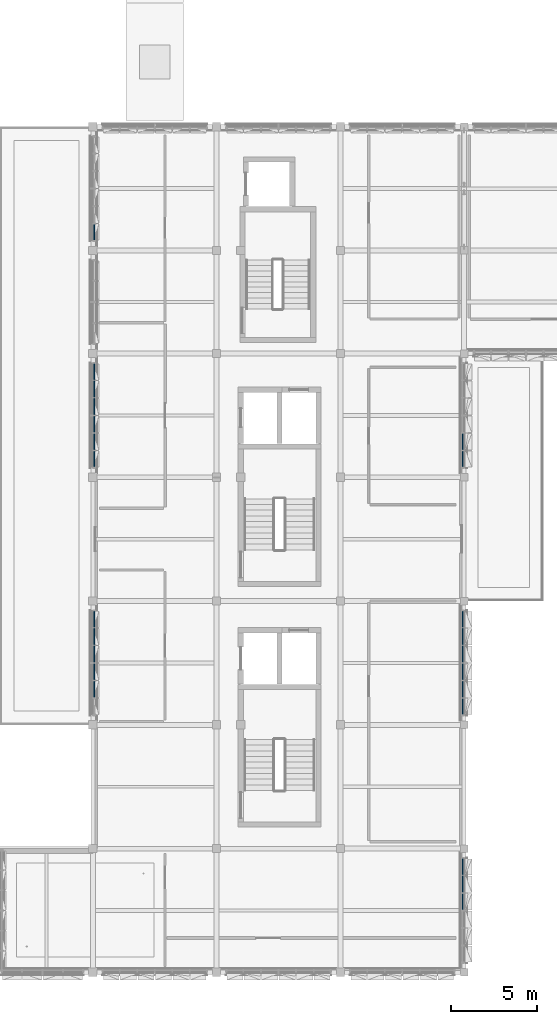
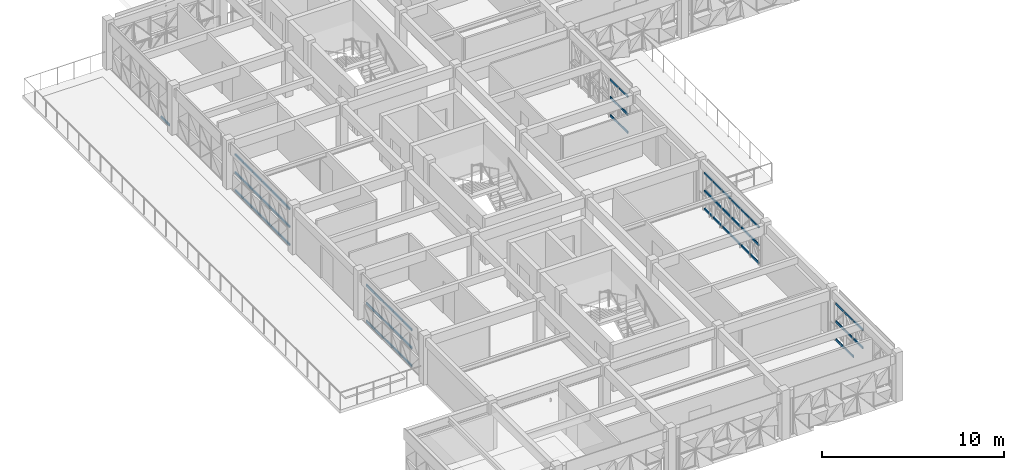
# One storey, part 8 of 35: 66 members, 6 elements without a shape of their own.
"""IFC4 building model written with IfcOpenShell, lengths in metres."""

from ifc_helpers import new_model, si_unit, direction, frame, origin, origin_2d, place, context, subcontext, project, spatial, rectangle, extrude, material, material_profile, profile_set, type_object, element, aggregate, save


model = new_model("IFC4")

# Units and contexts
model_context = context("Model", 3, precision=1e-05, world=origin(), true_north=direction((0.0, 1.0)))
body_context = subcontext(model_context, "Body", "Model", "MODEL_VIEW")
ifc_project = project(units=[si_unit("LENGTHUNIT", "METRE"), si_unit("AREAUNIT", "SQUARE_METRE"), si_unit("VOLUMEUNIT", "CUBIC_METRE"), si_unit("PLANEANGLEUNIT", "RADIAN"), si_unit("MASSUNIT", "GRAM", prefix="KILO")], contexts=[model_context])

# Site, building, storey
site_placement = place(None, origin())
site = spatial("IfcSite", under=ifc_project, at=site_placement, CompositionType="ELEMENT")
building_placement = place(site_placement, origin())
building = spatial("IfcBuilding", under=site, at=building_placement, Name="Alvorim Cloister Faculty of Sciences", CompositionType="ELEMENT")
storey_placement = place(building_placement, frame((0.0, 0.0, 22.949951171875)))
storey = spatial("IfcBuildingStorey", under=building, at=storey_placement, Name="L06", CompositionType="ELEMENT", Elevation=22.949951171875)

# Curtain wall, members
ifc_material_1 = material(Name="Aluminium and Low-E Glass Curtain Wall", Category="aluminium")
curtain_wall_type = type_object("IfcCurtainWallType", Name="CW-TRI-6120x2550", PredefinedType="USERDEFINED", material=ifc_material_1)
curtain_wall_1_placement = place(storey_placement, origin())
curtain_wall_1 = element("IfcCurtainWall", 1, at=curtain_wall_1_placement, inside=storey, type_object=curtain_wall_type, Name="L06 Diagonal Cassette Curtain Wall CW-0241", ObjectType="UNITISED CURTAIN WALL", PredefinedType="USERDEFINED")
ifc_material_2 = material(Name="Aluminium Alloy 6063-T6", Category="aluminium")
ifc_material_profile = material_profile(ifc_material_2, rectangle(XDim=0.06494140625, YDim=0.139892578125, at=origin_2d()), Name="ALU-TRN-65x140")
ifc_profile_set = profile_set([ifc_material_profile], Name="Aluminium Alloy 6063-T6")
member_type = type_object("IfcMemberType", Name="CW-TRN-65x140", PredefinedType="USERDEFINED", material=ifc_profile_set)
member_1_placement = place(storey_placement, frame((7.2900390625, 23.1923828125, 0.070068359375), z_axis=(0.0, 1.0, 0.0), x_axis=(-1.0, 0.0, 0.0)))
member_1 = element("IfcMember", 2, at=member_1_placement, type_object=member_type, Name="CW-0241 Transom 2.1", ObjectType="TRANSOM", PredefinedType="USERDEFINED", context=body_context, shape_type="SweptSolid", body=[
    extrude(rectangle(XDim=0.06494140625, YDim=0.139892578125, at=origin_2d()), origin(), (0.0, 0.0, 1.0), 0.955078125),
])
member_2_placement = place(storey_placement, frame((7.2900390625, 23.1923828125, 1.275146484375), z_axis=(0.0, 1.0, 0.0), x_axis=(-1.0, 0.0, 0.0)))
member_2 = element("IfcMember", 3, at=member_2_placement, type_object=member_type, Name="CW-0241 Transom 2.2", ObjectType="TRANSOM", PredefinedType="USERDEFINED", context=body_context, shape_type="SweptSolid", body=[
    extrude(rectangle(XDim=0.06494140625, YDim=0.139892578125, at=origin_2d()), origin(), (0.0, 0.0, 1.0), 0.955078125),
])
member_3_placement = place(storey_placement, frame((7.2900390625, 23.1923828125, 2.47998046875), z_axis=(0.0, 1.0, 0.0), x_axis=(-1.0, 0.0, 0.0)))
member_3 = element("IfcMember", 4, at=member_3_placement, type_object=member_type, Name="CW-0241 Transom 2.3", ObjectType="TRANSOM", PredefinedType="USERDEFINED", context=body_context, shape_type="SweptSolid", body=[
    extrude(rectangle(XDim=0.06494140625, YDim=0.139892578125, at=origin_2d()), origin(), (0.0, 0.0, 1.0), 0.955078125),
])
member_4_placement = place(storey_placement, frame((7.2900390625, 24.21240234375, 0.070068359375), z_axis=(0.0, 1.0, 0.0), x_axis=(-1.0, 0.0, 0.0)))
member_4 = element("IfcMember", 5, at=member_4_placement, type_object=member_type, Name="CW-0241 Transom 3.1", ObjectType="TRANSOM", PredefinedType="USERDEFINED", context=body_context, shape_type="SweptSolid", body=[
    extrude(rectangle(XDim=0.06494140625, YDim=0.139892578125, at=origin_2d()), origin(), (0.0, 0.0, 1.0), 0.955078125),
])
member_5_placement = place(storey_placement, frame((7.2900390625, 24.21240234375, 1.275146484375), z_axis=(0.0, 1.0, 0.0), x_axis=(-1.0, 0.0, 0.0)))
member_5 = element("IfcMember", 6, at=member_5_placement, type_object=member_type, Name="CW-0241 Transom 3.2", ObjectType="TRANSOM", PredefinedType="USERDEFINED", context=body_context, shape_type="SweptSolid", body=[
    extrude(rectangle(XDim=0.06494140625, YDim=0.139892578125, at=origin_2d()), origin(), (0.0, 0.0, 1.0), 0.955078125),
])
member_6_placement = place(storey_placement, frame((7.2900390625, 24.21240234375, 2.47998046875), z_axis=(0.0, 1.0, 0.0), x_axis=(-1.0, 0.0, 0.0)))
member_6 = element("IfcMember", 7, at=member_6_placement, type_object=member_type, Name="CW-0241 Transom 3.3", ObjectType="TRANSOM", PredefinedType="USERDEFINED", context=body_context, shape_type="SweptSolid", body=[
    extrude(rectangle(XDim=0.06494140625, YDim=0.139892578125, at=origin_2d()), origin(), (0.0, 0.0, 1.0), 0.955078125),
])
member_7_placement = place(storey_placement, frame((7.2900390625, 25.232421875, 0.070068359375), z_axis=(0.0, 1.0, 0.0), x_axis=(-1.0, 0.0, 0.0)))
member_7 = element("IfcMember", 8, at=member_7_placement, type_object=member_type, Name="CW-0241 Transom 4.1", ObjectType="TRANSOM", PredefinedType="USERDEFINED", context=body_context, shape_type="SweptSolid", body=[
    extrude(rectangle(XDim=0.06494140625, YDim=0.139892578125, at=origin_2d()), origin(), (0.0, 0.0, 1.0), 0.955078125),
])
member_8_placement = place(storey_placement, frame((7.2900390625, 25.232421875, 1.275146484375), z_axis=(0.0, 1.0, 0.0), x_axis=(-1.0, 0.0, 0.0)))
member_8 = element("IfcMember", 9, at=member_8_placement, type_object=member_type, Name="CW-0241 Transom 4.2", ObjectType="TRANSOM", PredefinedType="USERDEFINED", context=body_context, shape_type="SweptSolid", body=[
    extrude(rectangle(XDim=0.06494140625, YDim=0.139892578125, at=origin_2d()), origin(), (0.0, 0.0, 1.0), 0.955078125),
])
member_9_placement = place(storey_placement, frame((7.2900390625, 25.232421875, 2.47998046875), z_axis=(0.0, 1.0, 0.0), x_axis=(-1.0, 0.0, 0.0)))
member_9 = element("IfcMember", 10, at=member_9_placement, type_object=member_type, Name="CW-0241 Transom 4.3", ObjectType="TRANSOM", PredefinedType="USERDEFINED", context=body_context, shape_type="SweptSolid", body=[
    extrude(rectangle(XDim=0.06494140625, YDim=0.139892578125, at=origin_2d()), origin(), (0.0, 0.0, 1.0), 0.955078125),
])
member_10_placement = place(storey_placement, frame((7.2900390625, 26.25244140625, 0.070068359375), z_axis=(0.0, 1.0, 0.0), x_axis=(-1.0, 0.0, 0.0)))
member_10 = element("IfcMember", 11, at=member_10_placement, type_object=member_type, Name="CW-0241 Transom 5.1", ObjectType="TRANSOM", PredefinedType="USERDEFINED", context=body_context, shape_type="SweptSolid", body=[
    extrude(rectangle(XDim=0.06494140625, YDim=0.139892578125, at=origin_2d()), origin(), (0.0, 0.0, 1.0), 0.955078125),
])
member_11_placement = place(storey_placement, frame((7.2900390625, 26.25244140625, 1.275146484375), z_axis=(0.0, 1.0, 0.0), x_axis=(-1.0, 0.0, 0.0)))
member_11 = element("IfcMember", 12, at=member_11_placement, type_object=member_type, Name="CW-0241 Transom 5.2", ObjectType="TRANSOM", PredefinedType="USERDEFINED", context=body_context, shape_type="SweptSolid", body=[
    extrude(rectangle(XDim=0.06494140625, YDim=0.139892578125, at=origin_2d()), origin(), (0.0, 0.0, 1.0), 0.955078125),
])
member_12_placement = place(storey_placement, frame((7.2900390625, 26.25244140625, 2.47998046875), z_axis=(0.0, 1.0, 0.0), x_axis=(-1.0, 0.0, 0.0)))
member_12 = element("IfcMember", 13, at=member_12_placement, type_object=member_type, Name="CW-0241 Transom 5.3", ObjectType="TRANSOM", PredefinedType="USERDEFINED", context=body_context, shape_type="SweptSolid", body=[
    extrude(rectangle(XDim=0.06494140625, YDim=0.139892578125, at=origin_2d()), origin(), (0.0, 0.0, 1.0), 0.955078125),
])
member_13_placement = place(storey_placement, frame((7.2900390625, 27.2724609375, 0.070068359375), z_axis=(0.0, 1.0, 0.0), x_axis=(-1.0, 0.0, 0.0)))
member_13 = element("IfcMember", 14, at=member_13_placement, type_object=member_type, Name="CW-0241 Transom 6.1", ObjectType="TRANSOM", PredefinedType="USERDEFINED", context=body_context, shape_type="SweptSolid", body=[
    extrude(rectangle(XDim=0.06494140625, YDim=0.139892578125, at=origin_2d()), origin(), (0.0, 0.0, 1.0), 0.922607421875),
])
member_14_placement = place(storey_placement, frame((7.2900390625, 27.2724609375, 1.275146484375), z_axis=(0.0, 1.0, 0.0), x_axis=(-1.0, 0.0, 0.0)))
member_14 = element("IfcMember", 15, at=member_14_placement, type_object=member_type, Name="CW-0241 Transom 6.2", ObjectType="TRANSOM", PredefinedType="USERDEFINED", context=body_context, shape_type="SweptSolid", body=[
    extrude(rectangle(XDim=0.06494140625, YDim=0.139892578125, at=origin_2d()), origin(), (0.0, 0.0, 1.0), 0.922607421875),
])
member_15_placement = place(storey_placement, frame((7.2900390625, 27.2724609375, 2.47998046875), z_axis=(0.0, 1.0, 0.0), x_axis=(-1.0, 0.0, 0.0)))
member_15 = element("IfcMember", 16, at=member_15_placement, type_object=member_type, Name="CW-0241 Transom 6.3", ObjectType="TRANSOM", PredefinedType="USERDEFINED", context=body_context, shape_type="SweptSolid", body=[
    extrude(rectangle(XDim=0.06494140625, YDim=0.139892578125, at=origin_2d()), origin(), (0.0, 0.0, 1.0), 0.922607421875),
])
aggregate(curtain_wall_1, [member_1, member_2, member_3, member_4, member_5, member_6, member_7, member_8, member_9, member_10, member_11, member_12, member_13, member_14, member_15])

curtain_wall_2_placement = place(storey_placement, origin())
curtain_wall_2 = element("IfcCurtainWall", 17, at=curtain_wall_2_placement, inside=storey, type_object=curtain_wall_type, Name="L06 Diagonal Cassette Curtain Wall CW-0242", ObjectType="UNITISED CURTAIN WALL", PredefinedType="USERDEFINED")
member_16_placement = place(storey_placement, frame((7.2900390625, 36.60498046875, 0.070068359375), z_axis=(0.0, 1.0, 0.0), x_axis=(-1.0, 0.0, 0.0)))
member_16 = element("IfcMember", 18, at=member_16_placement, type_object=member_type, Name="CW-0242 Transom 1.1", ObjectType="TRANSOM", PredefinedType="USERDEFINED", context=body_context, shape_type="SweptSolid", body=[
    extrude(rectangle(XDim=0.06494140625, YDim=0.139892578125, at=origin_2d()), origin(), (0.0, 0.0, 1.0), 0.922607421875),
])
member_17_placement = place(storey_placement, frame((7.2900390625, 36.60498046875, 1.275146484375), z_axis=(0.0, 1.0, 0.0), x_axis=(-1.0, 0.0, 0.0)))
member_17 = element("IfcMember", 19, at=member_17_placement, type_object=member_type, Name="CW-0242 Transom 1.2", ObjectType="TRANSOM", PredefinedType="USERDEFINED", context=body_context, shape_type="SweptSolid", body=[
    extrude(rectangle(XDim=0.06494140625, YDim=0.139892578125, at=origin_2d()), origin(), (0.0, 0.0, 1.0), 0.922607421875),
])
member_18_placement = place(storey_placement, frame((7.2900390625, 36.60498046875, 2.47998046875), z_axis=(0.0, 1.0, 0.0), x_axis=(-1.0, 0.0, 0.0)))
member_18 = element("IfcMember", 20, at=member_18_placement, type_object=member_type, Name="CW-0242 Transom 1.3", ObjectType="TRANSOM", PredefinedType="USERDEFINED", context=body_context, shape_type="SweptSolid", body=[
    extrude(rectangle(XDim=0.06494140625, YDim=0.139892578125, at=origin_2d()), origin(), (0.0, 0.0, 1.0), 0.922607421875),
])
member_19_placement = place(storey_placement, frame((7.2900390625, 37.592529296875, 0.070068359375), z_axis=(0.0, 1.0, 0.0), x_axis=(-1.0, 0.0, 0.0)))
member_19 = element("IfcMember", 21, at=member_19_placement, type_object=member_type, Name="CW-0242 Transom 2.1", ObjectType="TRANSOM", PredefinedType="USERDEFINED", context=body_context, shape_type="SweptSolid", body=[
    extrude(rectangle(XDim=0.06494140625, YDim=0.139892578125, at=origin_2d()), origin(), (0.0, 0.0, 1.0), 0.955078125),
])
member_20_placement = place(storey_placement, frame((7.2900390625, 37.592529296875, 1.275146484375), z_axis=(0.0, 1.0, 0.0), x_axis=(-1.0, 0.0, 0.0)))
member_20 = element("IfcMember", 22, at=member_20_placement, type_object=member_type, Name="CW-0242 Transom 2.2", ObjectType="TRANSOM", PredefinedType="USERDEFINED", context=body_context, shape_type="SweptSolid", body=[
    extrude(rectangle(XDim=0.06494140625, YDim=0.139892578125, at=origin_2d()), origin(), (0.0, 0.0, 1.0), 0.955078125),
])
member_21_placement = place(storey_placement, frame((7.2900390625, 37.592529296875, 2.47998046875), z_axis=(0.0, 1.0, 0.0), x_axis=(-1.0, 0.0, 0.0)))
member_21 = element("IfcMember", 23, at=member_21_placement, type_object=member_type, Name="CW-0242 Transom 2.3", ObjectType="TRANSOM", PredefinedType="USERDEFINED", context=body_context, shape_type="SweptSolid", body=[
    extrude(rectangle(XDim=0.06494140625, YDim=0.139892578125, at=origin_2d()), origin(), (0.0, 0.0, 1.0), 0.955078125),
])
member_22_placement = place(storey_placement, frame((7.2900390625, 38.612548828125, 0.070068359375), z_axis=(0.0, 1.0, 0.0), x_axis=(-1.0, 0.0, 0.0)))
member_22 = element("IfcMember", 24, at=member_22_placement, type_object=member_type, Name="CW-0242 Transom 3.1", ObjectType="TRANSOM", PredefinedType="USERDEFINED", context=body_context, shape_type="SweptSolid", body=[
    extrude(rectangle(XDim=0.06494140625, YDim=0.139892578125, at=origin_2d()), origin(), (0.0, 0.0, 1.0), 0.954833984375),
])
member_23_placement = place(storey_placement, frame((7.2900390625, 38.612548828125, 1.275146484375), z_axis=(0.0, 1.0, 0.0), x_axis=(-1.0, 0.0, 0.0)))
member_23 = element("IfcMember", 25, at=member_23_placement, type_object=member_type, Name="CW-0242 Transom 3.2", ObjectType="TRANSOM", PredefinedType="USERDEFINED", context=body_context, shape_type="SweptSolid", body=[
    extrude(rectangle(XDim=0.06494140625, YDim=0.139892578125, at=origin_2d()), origin(), (0.0, 0.0, 1.0), 0.954833984375),
])
member_24_placement = place(storey_placement, frame((7.2900390625, 38.612548828125, 2.47998046875), z_axis=(0.0, 1.0, 0.0), x_axis=(-1.0, 0.0, 0.0)))
member_24 = element("IfcMember", 26, at=member_24_placement, type_object=member_type, Name="CW-0242 Transom 3.3", ObjectType="TRANSOM", PredefinedType="USERDEFINED", context=body_context, shape_type="SweptSolid", body=[
    extrude(rectangle(XDim=0.06494140625, YDim=0.139892578125, at=origin_2d()), origin(), (0.0, 0.0, 1.0), 0.954833984375),
])
member_25_placement = place(storey_placement, frame((7.2900390625, 39.632568359375, 0.070068359375), z_axis=(0.0, 1.0, 0.0), x_axis=(-1.0, 0.0, 0.0)))
member_25 = element("IfcMember", 27, at=member_25_placement, type_object=member_type, Name="CW-0242 Transom 4.1", ObjectType="TRANSOM", PredefinedType="USERDEFINED", context=body_context, shape_type="SweptSolid", body=[
    extrude(rectangle(XDim=0.06494140625, YDim=0.139892578125, at=origin_2d()), origin(), (0.0, 0.0, 1.0), 0.954833984375),
])
member_26_placement = place(storey_placement, frame((7.2900390625, 39.632568359375, 1.275146484375), z_axis=(0.0, 1.0, 0.0), x_axis=(-1.0, 0.0, 0.0)))
member_26 = element("IfcMember", 28, at=member_26_placement, type_object=member_type, Name="CW-0242 Transom 4.2", ObjectType="TRANSOM", PredefinedType="USERDEFINED", context=body_context, shape_type="SweptSolid", body=[
    extrude(rectangle(XDim=0.06494140625, YDim=0.139892578125, at=origin_2d()), origin(), (0.0, 0.0, 1.0), 0.954833984375),
])
member_27_placement = place(storey_placement, frame((7.2900390625, 39.632568359375, 2.47998046875), z_axis=(0.0, 1.0, 0.0), x_axis=(-1.0, 0.0, 0.0)))
member_27 = element("IfcMember", 29, at=member_27_placement, type_object=member_type, Name="CW-0242 Transom 4.3", ObjectType="TRANSOM", PredefinedType="USERDEFINED", context=body_context, shape_type="SweptSolid", body=[
    extrude(rectangle(XDim=0.06494140625, YDim=0.139892578125, at=origin_2d()), origin(), (0.0, 0.0, 1.0), 0.954833984375),
])
member_28_placement = place(storey_placement, frame((7.2900390625, 40.652587890625, 0.070068359375), z_axis=(0.0, 1.0, 0.0), x_axis=(-1.0, 0.0, 0.0)))
member_28 = element("IfcMember", 30, at=member_28_placement, type_object=member_type, Name="CW-0242 Transom 5.1", ObjectType="TRANSOM", PredefinedType="USERDEFINED", context=body_context, shape_type="SweptSolid", body=[
    extrude(rectangle(XDim=0.06494140625, YDim=0.139892578125, at=origin_2d()), origin(), (0.0, 0.0, 1.0), 0.954833984375),
])
member_29_placement = place(storey_placement, frame((7.2900390625, 40.652587890625, 1.275146484375), z_axis=(0.0, 1.0, 0.0), x_axis=(-1.0, 0.0, 0.0)))
member_29 = element("IfcMember", 31, at=member_29_placement, type_object=member_type, Name="CW-0242 Transom 5.2", ObjectType="TRANSOM", PredefinedType="USERDEFINED", context=body_context, shape_type="SweptSolid", body=[
    extrude(rectangle(XDim=0.06494140625, YDim=0.139892578125, at=origin_2d()), origin(), (0.0, 0.0, 1.0), 0.954833984375),
])
member_30_placement = place(storey_placement, frame((7.2900390625, 40.652587890625, 2.47998046875), z_axis=(0.0, 1.0, 0.0), x_axis=(-1.0, 0.0, 0.0)))
member_30 = element("IfcMember", 32, at=member_30_placement, type_object=member_type, Name="CW-0242 Transom 5.3", ObjectType="TRANSOM", PredefinedType="USERDEFINED", context=body_context, shape_type="SweptSolid", body=[
    extrude(rectangle(XDim=0.06494140625, YDim=0.139892578125, at=origin_2d()), origin(), (0.0, 0.0, 1.0), 0.954833984375),
])
member_31_placement = place(storey_placement, frame((7.2900390625, 41.672607421875, 0.070068359375), z_axis=(0.0, 1.0, 0.0), x_axis=(-1.0, 0.0, 0.0)))
member_31 = element("IfcMember", 33, at=member_31_placement, type_object=member_type, Name="CW-0242 Transom 6.1", ObjectType="TRANSOM", PredefinedType="USERDEFINED", context=body_context, shape_type="SweptSolid", body=[
    extrude(rectangle(XDim=0.06494140625, YDim=0.139892578125, at=origin_2d()), origin(), (0.0, 0.0, 1.0), 0.92236328125),
])
member_32_placement = place(storey_placement, frame((7.2900390625, 41.672607421875, 1.275146484375), z_axis=(0.0, 1.0, 0.0), x_axis=(-1.0, 0.0, 0.0)))
member_32 = element("IfcMember", 34, at=member_32_placement, type_object=member_type, Name="CW-0242 Transom 6.2", ObjectType="TRANSOM", PredefinedType="USERDEFINED", context=body_context, shape_type="SweptSolid", body=[
    extrude(rectangle(XDim=0.06494140625, YDim=0.139892578125, at=origin_2d()), origin(), (0.0, 0.0, 1.0), 0.92236328125),
])
member_33_placement = place(storey_placement, frame((7.2900390625, 41.672607421875, 2.47998046875), z_axis=(0.0, 1.0, 0.0), x_axis=(-1.0, 0.0, 0.0)))
member_33 = element("IfcMember", 35, at=member_33_placement, type_object=member_type, Name="CW-0242 Transom 6.3", ObjectType="TRANSOM", PredefinedType="USERDEFINED", context=body_context, shape_type="SweptSolid", body=[
    extrude(rectangle(XDim=0.06494140625, YDim=0.139892578125, at=origin_2d()), origin(), (0.0, 0.0, 1.0), 0.92236328125),
])
aggregate(curtain_wall_2, [member_16, member_17, member_18, member_19, member_20, member_21, member_22, member_23, member_24, member_25, member_26, member_27, member_28, member_29, member_30, member_31, member_32, member_33])

# Curtain wall, member
curtain_wall_3_placement = place(storey_placement, origin())
curtain_wall_3 = element("IfcCurtainWall", 36, at=curtain_wall_3_placement, inside=storey, type_object=curtain_wall_type, Name="L06 Diagonal Cassette Curtain Wall CW-0244", ObjectType="UNITISED CURTAIN WALL", PredefinedType="USERDEFINED")
member_34_placement = place(storey_placement, frame((7.2900390625, 49.804931640625, 0.070068359375), z_axis=(0.0, 1.0, 0.0), x_axis=(-1.0, 0.0, 0.0)))
member_34 = element("IfcMember", 37, at=member_34_placement, type_object=member_type, Name="CW-0244 Transom 1.1", ObjectType="TRANSOM", PredefinedType="USERDEFINED", context=body_context, shape_type="SweptSolid", body=[
    extrude(rectangle(XDim=0.06494140625, YDim=0.139892578125, at=origin_2d()), origin(), (0.0, 0.0, 1.0), 0.922607421875),
])
aggregate(curtain_wall_3, [member_34])

# Curtain wall, members
curtain_wall_4_placement = place(storey_placement, origin())
curtain_wall_4 = element("IfcCurtainWall", 38, at=curtain_wall_4_placement, inside=storey, type_object=curtain_wall_type, Name="L06 Diagonal Cassette Curtain Wall CW-0255", ObjectType="UNITISED CURTAIN WALL", PredefinedType="USERDEFINED")
member_35_placement = place(storey_placement, frame((28.7099609375, 36.60498046875, 0.070068359375), z_axis=(0.0, 1.0, 0.0), x_axis=(-1.0, 0.0, 0.0)))
member_35 = element("IfcMember", 39, at=member_35_placement, type_object=member_type, Name="CW-0255 Transom 1.1", ObjectType="TRANSOM", PredefinedType="USERDEFINED", context=body_context, shape_type="SweptSolid", body=[
    extrude(rectangle(XDim=0.06494140625, YDim=0.139892578125, at=origin_2d()), origin(), (0.0, 0.0, 1.0), 0.922607421875),
])
member_36_placement = place(storey_placement, frame((28.7099609375, 36.60498046875, 1.275146484375), z_axis=(0.0, 1.0, 0.0), x_axis=(-1.0, 0.0, 0.0)))
member_36 = element("IfcMember", 40, at=member_36_placement, type_object=member_type, Name="CW-0255 Transom 1.2", ObjectType="TRANSOM", PredefinedType="USERDEFINED", context=body_context, shape_type="SweptSolid", body=[
    extrude(rectangle(XDim=0.06494140625, YDim=0.139892578125, at=origin_2d()), origin(), (0.0, 0.0, 1.0), 0.922607421875),
])
member_37_placement = place(storey_placement, frame((28.7099609375, 36.60498046875, 2.47998046875), z_axis=(0.0, 1.0, 0.0), x_axis=(-1.0, 0.0, 0.0)))
member_37 = element("IfcMember", 41, at=member_37_placement, type_object=member_type, Name="CW-0255 Transom 1.3", ObjectType="TRANSOM", PredefinedType="USERDEFINED", context=body_context, shape_type="SweptSolid", body=[
    extrude(rectangle(XDim=0.06494140625, YDim=0.139892578125, at=origin_2d()), origin(), (0.0, 0.0, 1.0), 0.922607421875),
])
member_38_placement = place(storey_placement, frame((28.7099609375, 37.592529296875, 0.070068359375), z_axis=(0.0, 1.0, 0.0), x_axis=(-1.0, 0.0, 0.0)))
member_38 = element("IfcMember", 42, at=member_38_placement, type_object=member_type, Name="CW-0255 Transom 2.1", ObjectType="TRANSOM", PredefinedType="USERDEFINED", context=body_context, shape_type="SweptSolid", body=[
    extrude(rectangle(XDim=0.06494140625, YDim=0.139892578125, at=origin_2d()), origin(), (0.0, 0.0, 1.0), 0.955078125),
])
member_39_placement = place(storey_placement, frame((28.7099609375, 37.592529296875, 1.275146484375), z_axis=(0.0, 1.0, 0.0), x_axis=(-1.0, 0.0, 0.0)))
member_39 = element("IfcMember", 43, at=member_39_placement, type_object=member_type, Name="CW-0255 Transom 2.2", ObjectType="TRANSOM", PredefinedType="USERDEFINED", context=body_context, shape_type="SweptSolid", body=[
    extrude(rectangle(XDim=0.06494140625, YDim=0.139892578125, at=origin_2d()), origin(), (0.0, 0.0, 1.0), 0.955078125),
])
member_40_placement = place(storey_placement, frame((28.7099609375, 37.592529296875, 2.47998046875), z_axis=(0.0, 1.0, 0.0), x_axis=(-1.0, 0.0, 0.0)))
member_40 = element("IfcMember", 44, at=member_40_placement, type_object=member_type, Name="CW-0255 Transom 2.3", ObjectType="TRANSOM", PredefinedType="USERDEFINED", context=body_context, shape_type="SweptSolid", body=[
    extrude(rectangle(XDim=0.06494140625, YDim=0.139892578125, at=origin_2d()), origin(), (0.0, 0.0, 1.0), 0.955078125),
])
aggregate(curtain_wall_4, [member_35, member_36, member_37, member_38, member_39, member_40])

curtain_wall_5_placement = place(storey_placement, origin())
curtain_wall_5 = element("IfcCurtainWall", 45, at=curtain_wall_5_placement, inside=storey, type_object=curtain_wall_type, Name="L06 Diagonal Cassette Curtain Wall CW-0256", ObjectType="UNITISED CURTAIN WALL", PredefinedType="USERDEFINED")
member_41_placement = place(storey_placement, frame((28.7099609375, 22.205078125, 0.070068359375), z_axis=(0.0, 1.0, 0.0), x_axis=(-1.0, 0.0, 0.0)))
member_41 = element("IfcMember", 46, at=member_41_placement, type_object=member_type, Name="CW-0256 Transom 1.1", ObjectType="TRANSOM", PredefinedType="USERDEFINED", context=body_context, shape_type="SweptSolid", body=[
    extrude(rectangle(XDim=0.06494140625, YDim=0.139892578125, at=origin_2d()), origin(), (0.0, 0.0, 1.0), 0.92236328125),
])
member_42_placement = place(storey_placement, frame((28.7099609375, 22.205078125, 1.275146484375), z_axis=(0.0, 1.0, 0.0), x_axis=(-1.0, 0.0, 0.0)))
member_42 = element("IfcMember", 47, at=member_42_placement, type_object=member_type, Name="CW-0256 Transom 1.2", ObjectType="TRANSOM", PredefinedType="USERDEFINED", context=body_context, shape_type="SweptSolid", body=[
    extrude(rectangle(XDim=0.06494140625, YDim=0.139892578125, at=origin_2d()), origin(), (0.0, 0.0, 1.0), 0.92236328125),
])
member_43_placement = place(storey_placement, frame((28.7099609375, 22.205078125, 2.47998046875), z_axis=(0.0, 1.0, 0.0), x_axis=(-1.0, 0.0, 0.0)))
member_43 = element("IfcMember", 48, at=member_43_placement, type_object=member_type, Name="CW-0256 Transom 1.3", ObjectType="TRANSOM", PredefinedType="USERDEFINED", context=body_context, shape_type="SweptSolid", body=[
    extrude(rectangle(XDim=0.06494140625, YDim=0.139892578125, at=origin_2d()), origin(), (0.0, 0.0, 1.0), 0.92236328125),
])
member_44_placement = place(storey_placement, frame((28.7099609375, 23.1923828125, 0.070068359375), z_axis=(0.0, 1.0, 0.0), x_axis=(-1.0, 0.0, 0.0)))
member_44 = element("IfcMember", 49, at=member_44_placement, type_object=member_type, Name="CW-0256 Transom 2.1", ObjectType="TRANSOM", PredefinedType="USERDEFINED", context=body_context, shape_type="SweptSolid", body=[
    extrude(rectangle(XDim=0.06494140625, YDim=0.139892578125, at=origin_2d()), origin(), (0.0, 0.0, 1.0), 0.955078125),
])
member_45_placement = place(storey_placement, frame((28.7099609375, 23.1923828125, 1.275146484375), z_axis=(0.0, 1.0, 0.0), x_axis=(-1.0, 0.0, 0.0)))
member_45 = element("IfcMember", 50, at=member_45_placement, type_object=member_type, Name="CW-0256 Transom 2.2", ObjectType="TRANSOM", PredefinedType="USERDEFINED", context=body_context, shape_type="SweptSolid", body=[
    extrude(rectangle(XDim=0.06494140625, YDim=0.139892578125, at=origin_2d()), origin(), (0.0, 0.0, 1.0), 0.955078125),
])
member_46_placement = place(storey_placement, frame((28.7099609375, 23.1923828125, 2.47998046875), z_axis=(0.0, 1.0, 0.0), x_axis=(-1.0, 0.0, 0.0)))
member_46 = element("IfcMember", 51, at=member_46_placement, type_object=member_type, Name="CW-0256 Transom 2.3", ObjectType="TRANSOM", PredefinedType="USERDEFINED", context=body_context, shape_type="SweptSolid", body=[
    extrude(rectangle(XDim=0.06494140625, YDim=0.139892578125, at=origin_2d()), origin(), (0.0, 0.0, 1.0), 0.955078125),
])
member_47_placement = place(storey_placement, frame((28.7099609375, 24.21240234375, 0.070068359375), z_axis=(0.0, 1.0, 0.0), x_axis=(-1.0, 0.0, 0.0)))
member_47 = element("IfcMember", 52, at=member_47_placement, type_object=member_type, Name="CW-0256 Transom 3.1", ObjectType="TRANSOM", PredefinedType="USERDEFINED", context=body_context, shape_type="SweptSolid", body=[
    extrude(rectangle(XDim=0.06494140625, YDim=0.139892578125, at=origin_2d()), origin(), (0.0, 0.0, 1.0), 0.955078125),
])
member_48_placement = place(storey_placement, frame((28.7099609375, 24.21240234375, 1.275146484375), z_axis=(0.0, 1.0, 0.0), x_axis=(-1.0, 0.0, 0.0)))
member_48 = element("IfcMember", 53, at=member_48_placement, type_object=member_type, Name="CW-0256 Transom 3.2", ObjectType="TRANSOM", PredefinedType="USERDEFINED", context=body_context, shape_type="SweptSolid", body=[
    extrude(rectangle(XDim=0.06494140625, YDim=0.139892578125, at=origin_2d()), origin(), (0.0, 0.0, 1.0), 0.955078125),
])
member_49_placement = place(storey_placement, frame((28.7099609375, 24.21240234375, 2.47998046875), z_axis=(0.0, 1.0, 0.0), x_axis=(-1.0, 0.0, 0.0)))
member_49 = element("IfcMember", 54, at=member_49_placement, type_object=member_type, Name="CW-0256 Transom 3.3", ObjectType="TRANSOM", PredefinedType="USERDEFINED", context=body_context, shape_type="SweptSolid", body=[
    extrude(rectangle(XDim=0.06494140625, YDim=0.139892578125, at=origin_2d()), origin(), (0.0, 0.0, 1.0), 0.955078125),
])
member_50_placement = place(storey_placement, frame((28.7099609375, 25.232421875, 0.070068359375), z_axis=(0.0, 1.0, 0.0), x_axis=(-1.0, 0.0, 0.0)))
member_50 = element("IfcMember", 55, at=member_50_placement, type_object=member_type, Name="CW-0256 Transom 4.1", ObjectType="TRANSOM", PredefinedType="USERDEFINED", context=body_context, shape_type="SweptSolid", body=[
    extrude(rectangle(XDim=0.06494140625, YDim=0.139892578125, at=origin_2d()), origin(), (0.0, 0.0, 1.0), 0.955078125),
])
member_51_placement = place(storey_placement, frame((28.7099609375, 25.232421875, 1.275146484375), z_axis=(0.0, 1.0, 0.0), x_axis=(-1.0, 0.0, 0.0)))
member_51 = element("IfcMember", 56, at=member_51_placement, type_object=member_type, Name="CW-0256 Transom 4.2", ObjectType="TRANSOM", PredefinedType="USERDEFINED", context=body_context, shape_type="SweptSolid", body=[
    extrude(rectangle(XDim=0.06494140625, YDim=0.139892578125, at=origin_2d()), origin(), (0.0, 0.0, 1.0), 0.955078125),
])
member_52_placement = place(storey_placement, frame((28.7099609375, 25.232421875, 2.47998046875), z_axis=(0.0, 1.0, 0.0), x_axis=(-1.0, 0.0, 0.0)))
member_52 = element("IfcMember", 57, at=member_52_placement, type_object=member_type, Name="CW-0256 Transom 4.3", ObjectType="TRANSOM", PredefinedType="USERDEFINED", context=body_context, shape_type="SweptSolid", body=[
    extrude(rectangle(XDim=0.06494140625, YDim=0.139892578125, at=origin_2d()), origin(), (0.0, 0.0, 1.0), 0.955078125),
])
member_53_placement = place(storey_placement, frame((28.7099609375, 26.25244140625, 0.070068359375), z_axis=(0.0, 1.0, 0.0), x_axis=(-1.0, 0.0, 0.0)))
member_53 = element("IfcMember", 58, at=member_53_placement, type_object=member_type, Name="CW-0256 Transom 5.1", ObjectType="TRANSOM", PredefinedType="USERDEFINED", context=body_context, shape_type="SweptSolid", body=[
    extrude(rectangle(XDim=0.06494140625, YDim=0.139892578125, at=origin_2d()), origin(), (0.0, 0.0, 1.0), 0.955078125),
])
member_54_placement = place(storey_placement, frame((28.7099609375, 26.25244140625, 1.275146484375), z_axis=(0.0, 1.0, 0.0), x_axis=(-1.0, 0.0, 0.0)))
member_54 = element("IfcMember", 59, at=member_54_placement, type_object=member_type, Name="CW-0256 Transom 5.2", ObjectType="TRANSOM", PredefinedType="USERDEFINED", context=body_context, shape_type="SweptSolid", body=[
    extrude(rectangle(XDim=0.06494140625, YDim=0.139892578125, at=origin_2d()), origin(), (0.0, 0.0, 1.0), 0.955078125),
])
member_55_placement = place(storey_placement, frame((28.7099609375, 26.25244140625, 2.47998046875), z_axis=(0.0, 1.0, 0.0), x_axis=(-1.0, 0.0, 0.0)))
member_55 = element("IfcMember", 60, at=member_55_placement, type_object=member_type, Name="CW-0256 Transom 5.3", ObjectType="TRANSOM", PredefinedType="USERDEFINED", context=body_context, shape_type="SweptSolid", body=[
    extrude(rectangle(XDim=0.06494140625, YDim=0.139892578125, at=origin_2d()), origin(), (0.0, 0.0, 1.0), 0.955078125),
])
member_56_placement = place(storey_placement, frame((28.7099609375, 27.2724609375, 0.070068359375), z_axis=(0.0, 1.0, 0.0), x_axis=(-1.0, 0.0, 0.0)))
member_56 = element("IfcMember", 61, at=member_56_placement, type_object=member_type, Name="CW-0256 Transom 6.1", ObjectType="TRANSOM", PredefinedType="USERDEFINED", context=body_context, shape_type="SweptSolid", body=[
    extrude(rectangle(XDim=0.06494140625, YDim=0.139892578125, at=origin_2d()), origin(), (0.0, 0.0, 1.0), 0.922607421875),
])
member_57_placement = place(storey_placement, frame((28.7099609375, 27.2724609375, 1.275146484375), z_axis=(0.0, 1.0, 0.0), x_axis=(-1.0, 0.0, 0.0)))
member_57 = element("IfcMember", 62, at=member_57_placement, type_object=member_type, Name="CW-0256 Transom 6.2", ObjectType="TRANSOM", PredefinedType="USERDEFINED", context=body_context, shape_type="SweptSolid", body=[
    extrude(rectangle(XDim=0.06494140625, YDim=0.139892578125, at=origin_2d()), origin(), (0.0, 0.0, 1.0), 0.922607421875),
])
member_58_placement = place(storey_placement, frame((28.7099609375, 27.2724609375, 2.47998046875), z_axis=(0.0, 1.0, 0.0), x_axis=(-1.0, 0.0, 0.0)))
member_58 = element("IfcMember", 63, at=member_58_placement, type_object=member_type, Name="CW-0256 Transom 6.3", ObjectType="TRANSOM", PredefinedType="USERDEFINED", context=body_context, shape_type="SweptSolid", body=[
    extrude(rectangle(XDim=0.06494140625, YDim=0.139892578125, at=origin_2d()), origin(), (0.0, 0.0, 1.0), 0.922607421875),
])
aggregate(curtain_wall_5, [member_41, member_42, member_43, member_44, member_45, member_46, member_47, member_48, member_49, member_50, member_51, member_52, member_53, member_54, member_55, member_56, member_57, member_58])

curtain_wall_6_placement = place(storey_placement, origin())
curtain_wall_6 = element("IfcCurtainWall", 64, at=curtain_wall_6_placement, inside=storey, type_object=curtain_wall_type, Name="L06 Diagonal Cassette Curtain Wall CW-0257", ObjectType="UNITISED CURTAIN WALL", PredefinedType="USERDEFINED")
member_59_placement = place(storey_placement, frame((28.7099609375, 10.83251953125, 1.275146484375), z_axis=(0.0, 1.0, 0.0), x_axis=(-1.0, 0.0, 0.0)))
member_59 = element("IfcMember", 65, at=member_59_placement, type_object=member_type, Name="CW-0257 Transom 4.2", ObjectType="TRANSOM", PredefinedType="USERDEFINED", context=body_context, shape_type="SweptSolid", body=[
    extrude(rectangle(XDim=0.06494140625, YDim=0.139892578125, at=origin_2d()), origin(), (0.0, 0.0, 1.0), 0.955078125),
])
member_60_placement = place(storey_placement, frame((28.7099609375, 10.83251953125, 2.47998046875), z_axis=(0.0, 1.0, 0.0), x_axis=(-1.0, 0.0, 0.0)))
member_60 = element("IfcMember", 66, at=member_60_placement, type_object=member_type, Name="CW-0257 Transom 4.3", ObjectType="TRANSOM", PredefinedType="USERDEFINED", context=body_context, shape_type="SweptSolid", body=[
    extrude(rectangle(XDim=0.06494140625, YDim=0.139892578125, at=origin_2d()), origin(), (0.0, 0.0, 1.0), 0.955078125),
])
member_61_placement = place(storey_placement, frame((28.7099609375, 11.8525390625, 0.070068359375), z_axis=(0.0, 1.0, 0.0), x_axis=(-1.0, 0.0, 0.0)))
member_61 = element("IfcMember", 67, at=member_61_placement, type_object=member_type, Name="CW-0257 Transom 5.1", ObjectType="TRANSOM", PredefinedType="USERDEFINED", context=body_context, shape_type="SweptSolid", body=[
    extrude(rectangle(XDim=0.06494140625, YDim=0.139892578125, at=origin_2d()), origin(), (0.0, 0.0, 1.0), 0.955078125),
])
member_62_placement = place(storey_placement, frame((28.7099609375, 11.8525390625, 1.275146484375), z_axis=(0.0, 1.0, 0.0), x_axis=(-1.0, 0.0, 0.0)))
member_62 = element("IfcMember", 68, at=member_62_placement, type_object=member_type, Name="CW-0257 Transom 5.2", ObjectType="TRANSOM", PredefinedType="USERDEFINED", context=body_context, shape_type="SweptSolid", body=[
    extrude(rectangle(XDim=0.06494140625, YDim=0.139892578125, at=origin_2d()), origin(), (0.0, 0.0, 1.0), 0.955078125),
])
member_63_placement = place(storey_placement, frame((28.7099609375, 11.8525390625, 2.47998046875), z_axis=(0.0, 1.0, 0.0), x_axis=(-1.0, 0.0, 0.0)))
member_63 = element("IfcMember", 69, at=member_63_placement, type_object=member_type, Name="CW-0257 Transom 5.3", ObjectType="TRANSOM", PredefinedType="USERDEFINED", context=body_context, shape_type="SweptSolid", body=[
    extrude(rectangle(XDim=0.06494140625, YDim=0.139892578125, at=origin_2d()), origin(), (0.0, 0.0, 1.0), 0.955078125),
])
member_64_placement = place(storey_placement, frame((28.7099609375, 12.87255859375, 0.070068359375), z_axis=(0.0, 1.0, 0.0), x_axis=(-1.0, 0.0, 0.0)))
member_64 = element("IfcMember", 70, at=member_64_placement, type_object=member_type, Name="CW-0257 Transom 6.1", ObjectType="TRANSOM", PredefinedType="USERDEFINED", context=body_context, shape_type="SweptSolid", body=[
    extrude(rectangle(XDim=0.06494140625, YDim=0.139892578125, at=origin_2d()), origin(), (0.0, 0.0, 1.0), 0.92236328125),
])
member_65_placement = place(storey_placement, frame((28.7099609375, 12.87255859375, 1.275146484375), z_axis=(0.0, 1.0, 0.0), x_axis=(-1.0, 0.0, 0.0)))
member_65 = element("IfcMember", 71, at=member_65_placement, type_object=member_type, Name="CW-0257 Transom 6.2", ObjectType="TRANSOM", PredefinedType="USERDEFINED", context=body_context, shape_type="SweptSolid", body=[
    extrude(rectangle(XDim=0.06494140625, YDim=0.139892578125, at=origin_2d()), origin(), (0.0, 0.0, 1.0), 0.92236328125),
])
member_66_placement = place(storey_placement, frame((28.7099609375, 12.87255859375, 2.47998046875), z_axis=(0.0, 1.0, 0.0), x_axis=(-1.0, 0.0, 0.0)))
member_66 = element("IfcMember", 72, at=member_66_placement, type_object=member_type, Name="CW-0257 Transom 6.3", ObjectType="TRANSOM", PredefinedType="USERDEFINED", context=body_context, shape_type="SweptSolid", body=[
    extrude(rectangle(XDim=0.06494140625, YDim=0.139892578125, at=origin_2d()), origin(), (0.0, 0.0, 1.0), 0.92236328125),
])
aggregate(curtain_wall_6, [member_59, member_60, member_61, member_62, member_63, member_64, member_65, member_66])

save(model, "model.ifc")
